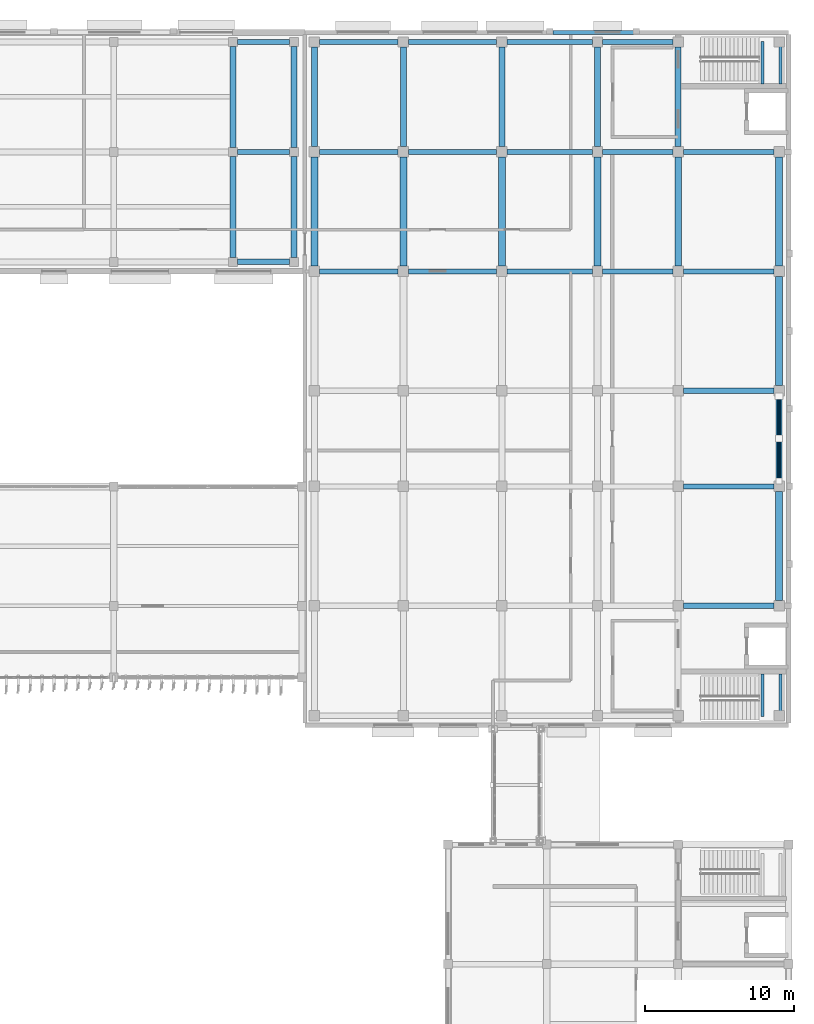
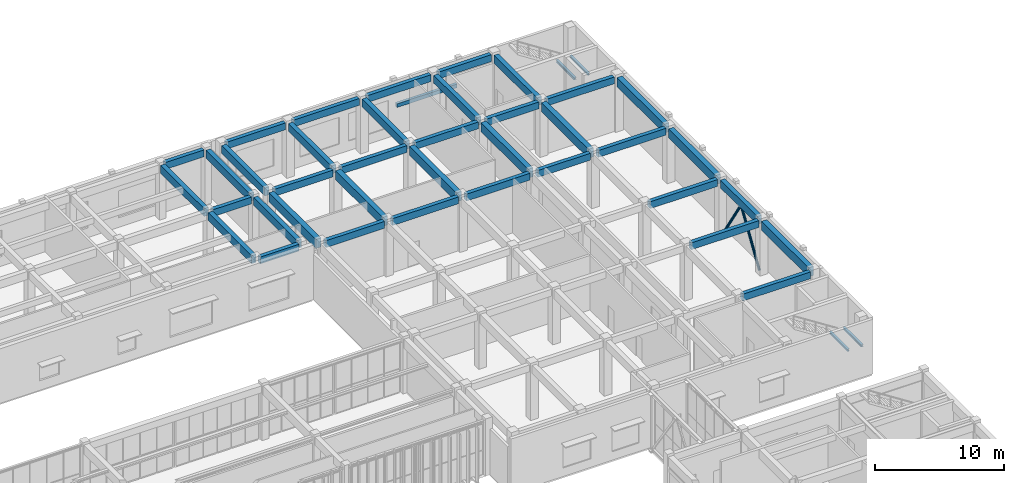
# One storey, part 27 of 64: 43 beams, 2 members.
"""IFC4 building model written with IfcOpenShell, lengths in metres."""

import ifcopenshell
import ifcopenshell.guid

model = None  # the IFC model being written
_history = None  # IfcOwnerHistory: only IFC2X3 demands one
_inside = {}  # id of a spatial element -> (the spatial element, [elements in it])
_under = {}  # id of a project, library or spatial element -> (it, [spatial elements below it])
_declared = {}  # id of a project -> (the project, [libraries it declares])
_typed = {}  # id of a type object -> (the type object, [elements of that type])
_made_of = {}  # id of a material, layer set ... -> (it, [elements and type objects made of it])


def new_model(schema):
    """Start an empty IFC model of exactly this schema.

    Asked for "IFC4X3", IfcOpenShell would pick the latest addendum, in which some entities
    have other attributes; the version numbers below select the first issue.
    IFC2X3 requires an IfcOwnerHistory on every rooted entity: one is made here for all.
    """
    global model, _history
    if schema == "IFC4X3":
        model = ifcopenshell.file(schema_version=(4, 3, 0, 0))
    else:
        model = ifcopenshell.file(schema=schema)
    _inside.clear()
    _under.clear()
    _declared.clear()
    _typed.clear()
    _made_of.clear()
    _history = None
    if model.schema == "IFC2X3":
        org = make("IfcOrganization", Name="unknown")
        user = make(
            "IfcPersonAndOrganization",
            ThePerson=make("IfcPerson", FamilyName="unknown"),
            TheOrganization=org,
        )
        app = make(
            "IfcApplication",
            ApplicationDeveloper=org,
            Version="unknown",
            ApplicationFullName="unknown",
            ApplicationIdentifier="unknown",
        )
        _history = make(
            "IfcOwnerHistory",
            OwningUser=user,
            OwningApplication=app,
            ChangeAction="ADDED",
            CreationDate=0,
        )
    return model


def make(cls, **values):
    """One entity of the class cls with the attributes given. An attribute that is None is left unset."""
    return model.create_entity(
        cls, **{name: value for name, value in values.items() if value is not None}
    )


def rooted(cls, **values):
    """An entity with a GlobalId (a new one), such as an element, a storey or a relation."""
    return make(cls, GlobalId=ifcopenshell.guid.new(), OwnerHistory=_history, **values)


def si_unit(unit_type, name, prefix=None):
    """IfcSIUnit, for example si_unit("LENGTHUNIT", "METRE", prefix="MILLI")."""
    return make("IfcSIUnit", UnitType=unit_type, Prefix=prefix, Name=name)


def assignment(units):
    """IfcUnitAssignment: the units of a project."""
    return None if units is None else make("IfcUnitAssignment", Units=units)


def point(xyz):
    """IfcCartesianPoint."""
    return None if xyz is None else make("IfcCartesianPoint", Coordinates=xyz)


def direction(xyz):
    """IfcDirection."""
    return None if xyz is None else make("IfcDirection", DirectionRatios=xyz)


def frame(location, z_axis=None, x_axis=None):
    """IfcAxis2Placement3D, a coordinate frame: its origin and axes. An axis left out is left unset."""
    return make(
        "IfcAxis2Placement3D",
        Location=point(location),
        Axis=direction(z_axis),
        RefDirection=direction(x_axis),
    )


def frame_2d(location, x_axis=None):
    """IfcAxis2Placement2D, a coordinate frame in the plane: its origin and x axis."""
    return make(
        "IfcAxis2Placement2D", Location=point(location), RefDirection=direction(x_axis)
    )


def origin():
    """The frame at (0, 0, 0) with its axes left unset."""
    return frame((0.0, 0.0, 0.0))


def origin_2d():
    """The frame at (0, 0) in the plane with its x axis left unset."""
    return frame_2d((0.0, 0.0))


def place(relative_to, where):
    """IfcLocalPlacement: puts the frame where relative to a parent placement (None: the world)."""
    return make(
        "IfcLocalPlacement", PlacementRelTo=relative_to, RelativePlacement=where
    )


def context(
    kind, dimensions, precision=None, world=None, true_north=None, identifier=None
):
    """IfcGeometricRepresentationContext, for example the 3D "Model" context."""
    return make(
        "IfcGeometricRepresentationContext",
        ContextIdentifier=identifier,
        ContextType=kind,
        CoordinateSpaceDimension=dimensions,
        Precision=precision,
        WorldCoordinateSystem=world,
        TrueNorth=true_north,
    )


def subcontext(parent, identifier, kind, view, scale=None):
    """IfcGeometricRepresentationSubContext, for example "Body" below "Model"."""
    return make(
        "IfcGeometricRepresentationSubContext",
        ContextIdentifier=identifier,
        ContextType=kind,
        ParentContext=parent,
        TargetScale=scale,
        TargetView=view,
    )


def project(units=None, contexts=None):
    """IfcProject with its units and contexts."""
    return rooted(
        "IfcProject",
        Name="project",
        RepresentationContexts=contexts,
        UnitsInContext=assignment(units),
    )


def spatial(cls, under=None, at=None, **own):
    """A site, building, storey or space (cls), placed at a placement, below another one or the project."""
    s = rooted(cls, ObjectPlacement=at, **own)
    if under is not None:
        _under.setdefault(under.id(), (under, []))[1].append(s)
    return s


def profile(cls, at=None, kind="AREA", **sizes):
    """A parametric profile (cls). Its sizes go by their IFC names, for example OverallWidth=200.0."""
    return make(cls, ProfileType=kind, Position=at, **sizes)


def rectangle(**sizes):
    """IfcRectangleProfileDef."""
    return profile("IfcRectangleProfileDef", **sizes)


def hollow_circle(**sizes):
    """IfcCircleHollowProfileDef."""
    return profile("IfcCircleHollowProfileDef", **sizes)


def i_section(**sizes):
    """IfcIShapeProfileDef."""
    return profile("IfcIShapeProfileDef", **sizes)


def extrude(swept, where, along, depth):
    """IfcExtrudedAreaSolid: the profile swept, set in the frame where, extruded along a direction by depth."""
    return make(
        "IfcExtrudedAreaSolid",
        SweptArea=swept,
        Position=where,
        ExtrudedDirection=direction(along),
        Depth=depth,
    )


def shape(context_of_items, identifier, shape_type, items):
    """IfcShapeRepresentation: the items that make up one representation, for example the "Body"."""
    return make(
        "IfcShapeRepresentation",
        ContextOfItems=context_of_items,
        RepresentationIdentifier=identifier,
        RepresentationType=shape_type,
        Items=items,
    )


def material(Name=None, Category=None):
    """IfcMaterial."""
    return make("IfcMaterial", Name=Name, Category=Category)


def material_profile(
    of_material, cross_section, Name=None, Category=None, Priority=None
):
    """IfcMaterialProfile: a cross section and its material."""
    return make(
        "IfcMaterialProfile",
        Name=Name,
        Material=of_material,
        Profile=cross_section,
        Priority=Priority,
        Category=Category,
    )


def profile_set(profiles, Name=None, composite=None):
    """IfcMaterialProfileSet."""
    return make(
        "IfcMaterialProfileSet",
        Name=Name,
        MaterialProfiles=profiles,
        CompositeProfile=composite,
    )


def made_of(thing, what):
    """Note that an element or type object is made of a material, layer set ...; save() writes the relation."""
    if what is not None:
        _made_of.setdefault(what.id(), (what, []))[1].append(thing)
    return thing


def type_object(cls, material=None, **own):
    """A type object (cls), such as IfcWallType, which elements share."""
    return made_of(rooted(cls, **own), material)


def element(
    cls,
    number,
    at=None,
    inside=None,
    cuts=None,
    type_object=None,
    material=None,
    context=None,
    identifier="Body",
    shape_type=None,
    held_by="IfcProductDefinitionShape",
    body=None,
    shapes=None,
    **own,
):
    """One element of the class cls, such as IfcWall. Its Tag is "e" and its number.

    at: its placement. inside: the storey or other place that contains it. cuts: it is an
    opening in that element (IfcRelVoidsElement). A single representation is given by context,
    identifier, shape_type and body (its items); several are given by shapes. held_by: the class
    of the entity that holds the representations. save() writes the other relations.
    """
    e = rooted(cls, Tag="e%d" % number, ObjectPlacement=at, **own)
    if body is not None:
        shapes = [shape(context, identifier, shape_type, body)]
    if shapes is not None:
        e.Representation = make(held_by, Representations=shapes)
    if inside is not None:
        _inside.setdefault(inside.id(), (inside, []))[1].append(e)
    if cuts is not None:
        rooted(
            "IfcRelVoidsElement", RelatingBuildingElement=cuts, RelatedOpeningElement=e
        )
    if type_object is not None:
        _typed.setdefault(type_object.id(), (type_object, []))[1].append(e)
    return made_of(e, material)


def aggregate(whole, parts):
    """IfcRelAggregates: a whole, such as a stair, and the parts it consists of."""
    return rooted("IfcRelAggregates", RelatingObject=whole, RelatedObjects=parts)


def save(model, path):
    """Write the relations noted so far, then the file.

    IfcRelAggregates (storeys below a building ...), IfcRelContainedInSpatialStructure (elements
    in a storey), IfcRelDefinesByType, IfcRelAssociatesMaterial and IfcRelDeclares: one each for
    every whole, place, type object, material and project.
    """
    for whole, parts in _under.values():
        aggregate(whole, parts)
    for where, things in _inside.values():
        rooted(
            "IfcRelContainedInSpatialStructure",
            RelatedElements=things,
            RelatingStructure=where,
        )
    for kind, things in _typed.values():
        rooted("IfcRelDefinesByType", RelatedObjects=things, RelatingType=kind)
    for what, things in _made_of.values():
        rooted("IfcRelAssociatesMaterial", RelatedObjects=things, RelatingMaterial=what)
    for by, libraries in _declared.values():
        rooted("IfcRelDeclares", RelatingContext=by, RelatedDefinitions=libraries)
    model.write(path)


model = new_model("IFC4")

# Units and contexts
model_context = context("Model", 3, precision=1e-05, world=origin(), true_north=direction((0.0, 1.0)))
body_context = subcontext(model_context, "Body", "Model", "MODEL_VIEW")
ifc_project = project(units=[si_unit("LENGTHUNIT", "METRE"), si_unit("AREAUNIT", "SQUARE_METRE"), si_unit("VOLUMEUNIT", "CUBIC_METRE"), si_unit("PLANEANGLEUNIT", "RADIAN"), si_unit("MASSUNIT", "GRAM", prefix="KILO")], contexts=[model_context])

# Site, building, storey
site_placement = place(None, origin())
site = spatial("IfcSite", under=ifc_project, at=site_placement, CompositionType="ELEMENT")
building_placement = place(site_placement, origin())
building = spatial("IfcBuilding", under=site, at=building_placement, Name="Cinchona Park Media Centre", CompositionType="ELEMENT")
storey_placement = place(building_placement, frame((0.0, 0.0, 10.199951171875)))
storey = spatial("IfcBuildingStorey", under=building, at=storey_placement, Name="L02", CompositionType="ELEMENT", Elevation=10.199951171875)

# Beams
ifc_material_1 = material(Name="Concrete C35/45", Category="concrete")
ifc_material_profile_1 = material_profile(ifc_material_1, rectangle(XDim=0.39990234375, YDim=0.75, at=origin_2d()), Name="RB 400X750")
ifc_profile_set_1 = profile_set([ifc_material_profile_1], Name="Concrete C35/45")
beam_type_1 = type_object("IfcBeamType", Name="BEAM-B01-RB400X750", PredefinedType="BEAM", material=ifc_profile_set_1)
for number, where, z_axis, x_axis, name in (
    (1, (134.800048828125, 102.93994140625, 4.78515625), (0.0, 1.0, 0.0), (-1.0, 0.0, 0.0), "Girder B01 L02"),
    (2, (134.800048828125, 110.300048828125, 4.78515625), (0.0, 1.0, 0.0), (-1.0, 0.0, 0.0), "Girder B01 L02"),
    (3, (138.860107421875, 102.93994140625, 4.78515625), (0.0, 1.0, 0.0), (-1.0, 0.0, 0.0), "Girder B01 L02"),
    (4, (138.860107421875, 110.300048828125, 4.78515625), (0.0, 1.0, 0.0), (-1.0, 0.0, 0.0), "Girder B01 L02"),
):
    element("IfcBeam", number, at=place(storey_placement, frame(where, z_axis=z_axis, x_axis=x_axis)), inside=storey, type_object=beam_type_1, Name=name, PredefinedType="BEAM", context=body_context, shape_type="SweptSolid", body=[
        extrude(rectangle(XDim=0.39990234375, YDim=0.75, at=origin_2d()), origin(), (0.0, 0.0, 1.0), 6.760009765625),
    ])
for number, where, z_axis, x_axis, name in (
    (5, (140.239990234375, 110.35009765625, 4.78515625), (0.0, 1.0, 0.0), (-1.0, 0.0, 0.0), "Girder B01 L02"),
    (6, (146.199951171875, 110.35009765625, 4.78515625), (0.0, 1.0, 0.0), (-1.0, 0.0, 0.0), "Girder B01 L02"),
    (7, (152.800048828125, 110.35009765625, 4.78515625), (0.0, 1.0, 0.0), (-1.0, 0.0, 0.0), "Girder B01 L02"),
    (8, (159.199951171875, 110.35009765625, 4.78515625), (0.0, 1.0, 0.0), (-1.0, 0.0, 0.0), "Girder B01 L02"),
    (9, (164.60009765625, 110.35009765625, 4.78515625), (0.0, 1.0, 0.0), (-1.0, 0.0, 0.0), "Girder B01 L02"),
):
    element("IfcBeam", number, at=place(storey_placement, frame(where, z_axis=z_axis, x_axis=x_axis)), inside=storey, type_object=beam_type_1, Name=name, PredefinedType="BEAM", context=body_context, shape_type="SweptSolid", body=[
        extrude(rectangle(XDim=0.39990234375, YDim=0.75, at=origin_2d()), origin(), (0.0, 0.0, 1.0), 6.659912109375),
    ])
beam_1_placement = place(storey_placement, frame((171.360107421875, 87.949951171875, 4.78515625), z_axis=(0.0, 1.0, 0.0), x_axis=(-1.0, 0.0, 0.0)))
element("IfcBeam", 10, at=beam_1_placement, inside=storey, type_object=beam_type_1, Name="Girder B01 L02", PredefinedType="BEAM", context=body_context, shape_type="SweptSolid", body=[
    extrude(rectangle(XDim=0.39990234375, YDim=0.75, at=origin_2d()), origin(), (0.0, 0.0, 1.0), 5.699951171875),
])
ifc_material_2 = material(Name="Concrete C35/45", Category="concrete")
ifc_material_profile_2 = material_profile(ifc_material_2, rectangle(XDim=0.449951171875, YDim=0.85009765625, at=origin_2d()), Name="RB 450X850")
ifc_profile_set_2 = profile_set([ifc_material_profile_2], Name="Concrete C35/45")
beam_type_2 = type_object("IfcBeamType", Name="BEAM-B02-RB450X850", PredefinedType="BEAM", material=ifc_profile_set_2)
for number, where, z_axis, x_axis, name in (
    (11, (140.239990234375, 102.35009765625, 4.735107421875), (0.0, 1.0, 0.0), (-1.0, 0.0, 0.0), "Girder B02 L02"),
    (12, (146.199951171875, 102.35009765625, 4.735107421875), (0.0, 1.0, 0.0), (-1.0, 0.0, 0.0), "Girder B02 L02"),
    (13, (152.800048828125, 102.35009765625, 4.735107421875), (0.0, 1.0, 0.0), (-1.0, 0.0, 0.0), "Girder B02 L02"),
    (14, (159.199951171875, 102.35009765625, 4.735107421875), (0.0, 1.0, 0.0), (-1.0, 0.0, 0.0), "Girder B02 L02"),
    (15, (164.60009765625, 102.35009765625, 4.735107421875), (0.0, 1.0, 0.0), (-1.0, 0.0, 0.0), "Girder B02 L02"),
):
    element("IfcBeam", number, at=place(storey_placement, frame(where, z_axis=z_axis, x_axis=x_axis)), inside=storey, type_object=beam_type_2, Name=name, PredefinedType="BEAM", context=body_context, shape_type="SweptSolid", body=[
        extrude(rectangle(XDim=0.449951171875, YDim=0.85009765625, at=origin_2d()), origin(), (0.0, 0.0, 1.0), 7.2998046875),
    ])
beam_2_placement = place(storey_placement, frame((171.360107421875, 79.949951171875, 4.735107421875), z_axis=(0.0, 1.0, 0.0), x_axis=(-1.0, 0.0, 0.0)))
element("IfcBeam", 16, at=beam_2_placement, inside=storey, type_object=beam_type_2, Name="Girder B02 L02", PredefinedType="BEAM", context=body_context, shape_type="SweptSolid", body=[
    extrude(rectangle(XDim=0.449951171875, YDim=0.85009765625, at=origin_2d()), origin(), (0.0, 0.0, 1.0), 7.300048828125),
])
for number, where, z_axis, x_axis, name in (
    (17, (171.360107421875, 94.35009765625, 4.735107421875), (0.0, 1.0, 0.0), (-1.0, 0.0, 0.0), "Girder B02 L02"),
    (18, (171.360107421875, 102.35009765625, 4.735107421875), (0.0, 1.0, 0.0), (-1.0, 0.0, 0.0), "Girder B02 L02"),
):
    element("IfcBeam", number, at=place(storey_placement, frame(where, z_axis=z_axis, x_axis=x_axis)), inside=storey, type_object=beam_type_2, Name=name, PredefinedType="BEAM", context=body_context, shape_type="SweptSolid", body=[
        extrude(rectangle(XDim=0.449951171875, YDim=0.85009765625, at=origin_2d()), origin(), (0.0, 0.0, 1.0), 7.2998046875),
    ])
ifc_material_3 = material(Name="Concrete C35/45", Category="concrete")
ifc_material_profile_3 = material_profile(ifc_material_3, rectangle(XDim=0.35009765625, YDim=0.64990234375, at=origin_2d()), Name="RB 350X650")
ifc_profile_set_3 = profile_set([ifc_material_profile_3], Name="Concrete C35/45")
beam_type_3 = type_object("IfcBeamType", Name="BEAM-B04-RB350X650", PredefinedType="BEAM", material=ifc_profile_set_3)
for number, where, z_axis, x_axis, name in (
    (19, (135.10009765625, 102.639892578125, 4.8349609375), (1.0, 0.0, 0.0), (0.0, 1.0, 0.0), "Beam B04 L02"),
    (20, (135.10009765625, 110.0, 4.8349609375), (1.0, 0.0, 0.0), (0.0, 1.0, 0.0), "Beam B04 L02"),
    (21, (135.10009765625, 117.360107421875, 4.8349609375), (1.0, 0.0, 0.0), (0.0, 1.0, 0.0), "Beam B04 L02"),
):
    element("IfcBeam", number, at=place(storey_placement, frame(where, z_axis=z_axis, x_axis=x_axis)), inside=storey, type_object=beam_type_3, Name=name, PredefinedType="BEAM", context=body_context, shape_type="SweptSolid", body=[
        extrude(rectangle(XDim=0.35009765625, YDim=0.64990234375, at=origin_2d()), origin(), (0.0, 0.0, 1.0), 3.4599609375),
    ])
for number, where, z_axis, x_axis, name in (
    (22, (164.949951171875, 79.60009765625, 4.8349609375), (1.0, 0.0, 0.0), (0.0, 1.0, 0.0), "Beam B04 L02"),
    (23, (164.949951171875, 87.60009765625, 4.8349609375), (1.0, 0.0, 0.0), (0.0, 1.0, 0.0), "Beam B04 L02"),
    (24, (164.949951171875, 94.0, 4.8349609375), (1.0, 0.0, 0.0), (0.0, 1.0, 0.0), "Beam B04 L02"),
):
    element("IfcBeam", number, at=place(storey_placement, frame(where, z_axis=z_axis, x_axis=x_axis)), inside=storey, type_object=beam_type_3, Name=name, PredefinedType="BEAM", context=body_context, shape_type="SweptSolid", body=[
        extrude(rectangle(XDim=0.35009765625, YDim=0.64990234375, at=origin_2d()), origin(), (0.0, 0.0, 1.0), 6.06005859375),
    ])
beam_3_placement = place(storey_placement, frame((140.590087890625, 102.0, 4.8349609375), z_axis=(1.0, 0.0, 0.0), x_axis=(0.0, 1.0, 0.0)))
element("IfcBeam", 25, at=beam_3_placement, inside=storey, type_object=beam_type_3, Name="Beam B04 L02", PredefinedType="BEAM", context=body_context, shape_type="SweptSolid", body=[
    extrude(rectangle(XDim=0.35009765625, YDim=0.64990234375, at=origin_2d()), origin(), (0.0, 0.0, 1.0), 5.260009765625),
])
beam_4_placement = place(storey_placement, frame((146.550048828125, 102.0, 4.8349609375), z_axis=(1.0, 0.0, 0.0), x_axis=(0.0, 1.0, 0.0)))
element("IfcBeam", 26, at=beam_4_placement, inside=storey, type_object=beam_type_3, Name="Beam B04 L02", PredefinedType="BEAM", context=body_context, shape_type="SweptSolid", body=[
    extrude(rectangle(XDim=0.35009765625, YDim=0.64990234375, at=origin_2d()), origin(), (0.0, 0.0, 1.0), 5.89990234375),
])
beam_5_placement = place(storey_placement, frame((153.14990234375, 102.0, 4.8349609375), z_axis=(1.0, 0.0, 0.0), x_axis=(0.0, 1.0, 0.0)))
element("IfcBeam", 27, at=beam_5_placement, inside=storey, type_object=beam_type_3, Name="Beam B04 L02", PredefinedType="BEAM", context=body_context, shape_type="SweptSolid", body=[
    extrude(rectangle(XDim=0.35009765625, YDim=0.64990234375, at=origin_2d()), origin(), (0.0, 0.0, 1.0), 5.7001953125),
])
beam_6_placement = place(storey_placement, frame((159.550048828125, 102.0, 4.8349609375), z_axis=(1.0, 0.0, 0.0), x_axis=(0.0, 1.0, 0.0)))
element("IfcBeam", 28, at=beam_6_placement, inside=storey, type_object=beam_type_3, Name="Beam B04 L02", PredefinedType="BEAM", context=body_context, shape_type="SweptSolid", body=[
    extrude(rectangle(XDim=0.35009765625, YDim=0.64990234375, at=origin_2d()), origin(), (0.0, 0.0, 1.0), 4.699951171875),
])
beam_7_placement = place(storey_placement, frame((164.949951171875, 102.0, 4.8349609375), z_axis=(1.0, 0.0, 0.0), x_axis=(0.0, 1.0, 0.0)))
element("IfcBeam", 29, at=beam_7_placement, inside=storey, type_object=beam_type_3, Name="Beam B04 L02", PredefinedType="BEAM", context=body_context, shape_type="SweptSolid", body=[
    extrude(rectangle(XDim=0.35009765625, YDim=0.64990234375, at=origin_2d()), origin(), (0.0, 0.0, 1.0), 6.06005859375),
])
beam_8_placement = place(storey_placement, frame((140.590087890625, 110.0, 4.8349609375), z_axis=(1.0, 0.0, 0.0), x_axis=(0.0, 1.0, 0.0)))
element("IfcBeam", 30, at=beam_8_placement, inside=storey, type_object=beam_type_3, Name="Beam B04 L02", PredefinedType="BEAM", context=body_context, shape_type="SweptSolid", body=[
    extrude(rectangle(XDim=0.35009765625, YDim=0.64990234375, at=origin_2d()), origin(), (0.0, 0.0, 1.0), 5.260009765625),
])
beam_9_placement = place(storey_placement, frame((146.550048828125, 110.0, 4.8349609375), z_axis=(1.0, 0.0, 0.0), x_axis=(0.0, 1.0, 0.0)))
element("IfcBeam", 31, at=beam_9_placement, inside=storey, type_object=beam_type_3, Name="Beam B04 L02", PredefinedType="BEAM", context=body_context, shape_type="SweptSolid", body=[
    extrude(rectangle(XDim=0.35009765625, YDim=0.64990234375, at=origin_2d()), origin(), (0.0, 0.0, 1.0), 5.89990234375),
])
beam_10_placement = place(storey_placement, frame((153.14990234375, 110.0, 4.8349609375), z_axis=(1.0, 0.0, 0.0), x_axis=(0.0, 1.0, 0.0)))
element("IfcBeam", 32, at=beam_10_placement, inside=storey, type_object=beam_type_3, Name="Beam B04 L02", PredefinedType="BEAM", context=body_context, shape_type="SweptSolid", body=[
    extrude(rectangle(XDim=0.35009765625, YDim=0.64990234375, at=origin_2d()), origin(), (0.0, 0.0, 1.0), 5.7001953125),
])
beam_11_placement = place(storey_placement, frame((159.550048828125, 110.0, 4.8349609375), z_axis=(1.0, 0.0, 0.0), x_axis=(0.0, 1.0, 0.0)))
element("IfcBeam", 33, at=beam_11_placement, inside=storey, type_object=beam_type_3, Name="Beam B04 L02", PredefinedType="BEAM", context=body_context, shape_type="SweptSolid", body=[
    extrude(rectangle(XDim=0.35009765625, YDim=0.64990234375, at=origin_2d()), origin(), (0.0, 0.0, 1.0), 4.699951171875),
])
beam_12_placement = place(storey_placement, frame((164.949951171875, 110.0, 4.8349609375), z_axis=(1.0, 0.0, 0.0), x_axis=(0.0, 1.0, 0.0)))
element("IfcBeam", 34, at=beam_12_placement, inside=storey, type_object=beam_type_3, Name="Beam B04 L02", PredefinedType="BEAM", context=body_context, shape_type="SweptSolid", body=[
    extrude(rectangle(XDim=0.35009765625, YDim=0.64990234375, at=origin_2d()), origin(), (0.0, 0.0, 1.0), 6.06005859375),
])
beam_13_placement = place(storey_placement, frame((140.590087890625, 117.360107421875, 4.8349609375), z_axis=(1.0, 0.0, 0.0), x_axis=(0.0, 1.0, 0.0)))
element("IfcBeam", 35, at=beam_13_placement, inside=storey, type_object=beam_type_3, Name="Beam B04 L02", PredefinedType="BEAM", context=body_context, shape_type="SweptSolid", body=[
    extrude(rectangle(XDim=0.35009765625, YDim=0.64990234375, at=origin_2d()), origin(), (0.0, 0.0, 1.0), 5.260009765625),
])
beam_14_placement = place(storey_placement, frame((146.550048828125, 117.360107421875, 4.8349609375), z_axis=(1.0, 0.0, 0.0), x_axis=(0.0, 1.0, 0.0)))
element("IfcBeam", 36, at=beam_14_placement, inside=storey, type_object=beam_type_3, Name="Beam B04 L02", PredefinedType="BEAM", context=body_context, shape_type="SweptSolid", body=[
    extrude(rectangle(XDim=0.35009765625, YDim=0.64990234375, at=origin_2d()), origin(), (0.0, 0.0, 1.0), 5.89990234375),
])
beam_15_placement = place(storey_placement, frame((153.14990234375, 117.360107421875, 4.8349609375), z_axis=(1.0, 0.0, 0.0), x_axis=(0.0, 1.0, 0.0)))
element("IfcBeam", 37, at=beam_15_placement, inside=storey, type_object=beam_type_3, Name="Beam B04 L02", PredefinedType="BEAM", context=body_context, shape_type="SweptSolid", body=[
    extrude(rectangle(XDim=0.35009765625, YDim=0.64990234375, at=origin_2d()), origin(), (0.0, 0.0, 1.0), 5.7001953125),
])
beam_16_placement = place(storey_placement, frame((159.550048828125, 117.360107421875, 4.8349609375), z_axis=(1.0, 0.0, 0.0), x_axis=(0.0, 1.0, 0.0)))
element("IfcBeam", 38, at=beam_16_placement, inside=storey, type_object=beam_type_3, Name="Beam B04 L02", PredefinedType="BEAM", context=body_context, shape_type="SweptSolid", body=[
    extrude(rectangle(XDim=0.35009765625, YDim=0.64990234375, at=origin_2d()), origin(), (0.0, 0.0, 1.0), 4.699951171875),
])
ifc_material_4 = material(Name="Steel S355", Category="steel")
ifc_material_profile_4 = material_profile(ifc_material_4, i_section(OverallWidth=0.202880859375, OverallDepth=0.202880859375, WebThickness=0.007080078125, FlangeThickness=0.010986328125, at=origin_2d()), Name="W200X46")
ifc_profile_set_4 = profile_set([ifc_material_profile_4], Name="Steel S355")
beam_type_4 = type_object("IfcBeamType", Name="BEAM-B10-W200X46", PredefinedType="BEAM", material=ifc_profile_set_4)
for number, where, z_axis, x_axis, name in (
    (39, (170.239990234375, 75.044921875, 2.3935546875), (0.0, -1.0, 0.0), (1.0, 0.0, 0.0), "Stair Landing Bearer Beam B10 ST1 L02"),
    (40, (171.4599609375, 75.044921875, 2.3935546875), (0.0, -1.0, 0.0), (1.0, 0.0, 0.0), "Stair Landing Bearer Beam B10 ST1 L02"),
    (41, (170.239990234375, 114.554931640625, 2.3935546875), (0.0, 1.0, 0.0), (-1.0, 0.0, 0.0), "Stair Landing Bearer Beam B10 ST2 L02"),
    (42, (171.4599609375, 114.554931640625, 2.3935546875), (0.0, 1.0, 0.0), (-1.0, 0.0, 0.0), "Stair Landing Bearer Beam B10 ST2 L02"),
):
    element("IfcBeam", number, at=place(storey_placement, frame(where, z_axis=z_axis, x_axis=x_axis)), inside=storey, type_object=beam_type_4, Name=name, PredefinedType="BEAM", context=body_context, shape_type="SweptSolid", body=[
        extrude(i_section(OverallWidth=0.202880859375, OverallDepth=0.202880859375, WebThickness=0.007080078125, FlangeThickness=0.010986328125, at=origin_2d()), origin(), (0.0, 0.0, 1.0), 2.844970703125),
    ])
ifc_material_5 = material(Name="Concrete C35/45", Category="concrete")
ifc_material_profile_5 = material_profile(ifc_material_5, rectangle(XDim=0.25, YDim=0.35009765625, at=origin_2d()), Name="RL 250X350")
ifc_profile_set_5 = profile_set([ifc_material_profile_5], Name="Concrete C35/45")
beam_type_5 = type_object("IfcBeamType", Name="BEAM-LN01-RL250X350", PredefinedType="LINTEL", material=ifc_profile_set_5)
beam_17_placement = place(storey_placement, frame((156.205078125, 118.0, 2.72509765625), z_axis=(1.0, 0.0, 0.0), x_axis=(0.0, 1.0, 0.0)))
element("IfcBeam", 43, at=beam_17_placement, inside=storey, type_object=beam_type_5, Name="Window Lintel LN01", PredefinedType="LINTEL", context=body_context, shape_type="SweptSolid", body=[
    extrude(rectangle(XDim=0.25, YDim=0.35009765625, at=origin_2d()), origin(), (0.0, 0.0, 1.0), 5.389892578125),
])

# Members
ifc_material_6 = material(Name="Steel S355", Category="steel")
ifc_material_profile_6 = material_profile(ifc_material_6, hollow_circle(Radius=0.109619140625, WallThickness=0.012451171875, at=origin_2d()), Name="219.1X12.5CHS")
ifc_profile_set_6 = profile_set([ifc_material_profile_6], Name="Steel S355")
member_type = type_object("IfcMemberType", Name="MEMBER-BR02-CHS219.1X12.5", PredefinedType="BRACE", material=ifc_profile_set_6)
for number, where, z_axis, x_axis, name in (
    (44, (171.360107421875, 87.955078125, 0.005126953125), (0.0, 0.538231645545, 0.842796948104), (-1.0, 0.0, 0.0), "Vertical Chevron Brace BR02 L02"),
    (45, (171.360107421875, 93.64501953125, 0.005126953125), (0.0, -0.538231645545, 0.842796948104), (1.0, 0.0, 0.0), "Vertical Chevron Brace BR02 L02"),
):
    element("IfcMember", number, at=place(storey_placement, frame(where, z_axis=z_axis, x_axis=x_axis)), inside=storey, type_object=member_type, Name=name, PredefinedType="BRACE", context=body_context, shape_type="SweptSolid", body=[
        extrude(hollow_circle(Radius=0.109619140625, WallThickness=0.012451171875, at=origin_2d()), origin(), (0.0, 0.0, 1.0), 5.285888671875),
    ])

save(model, "model.ifc")
